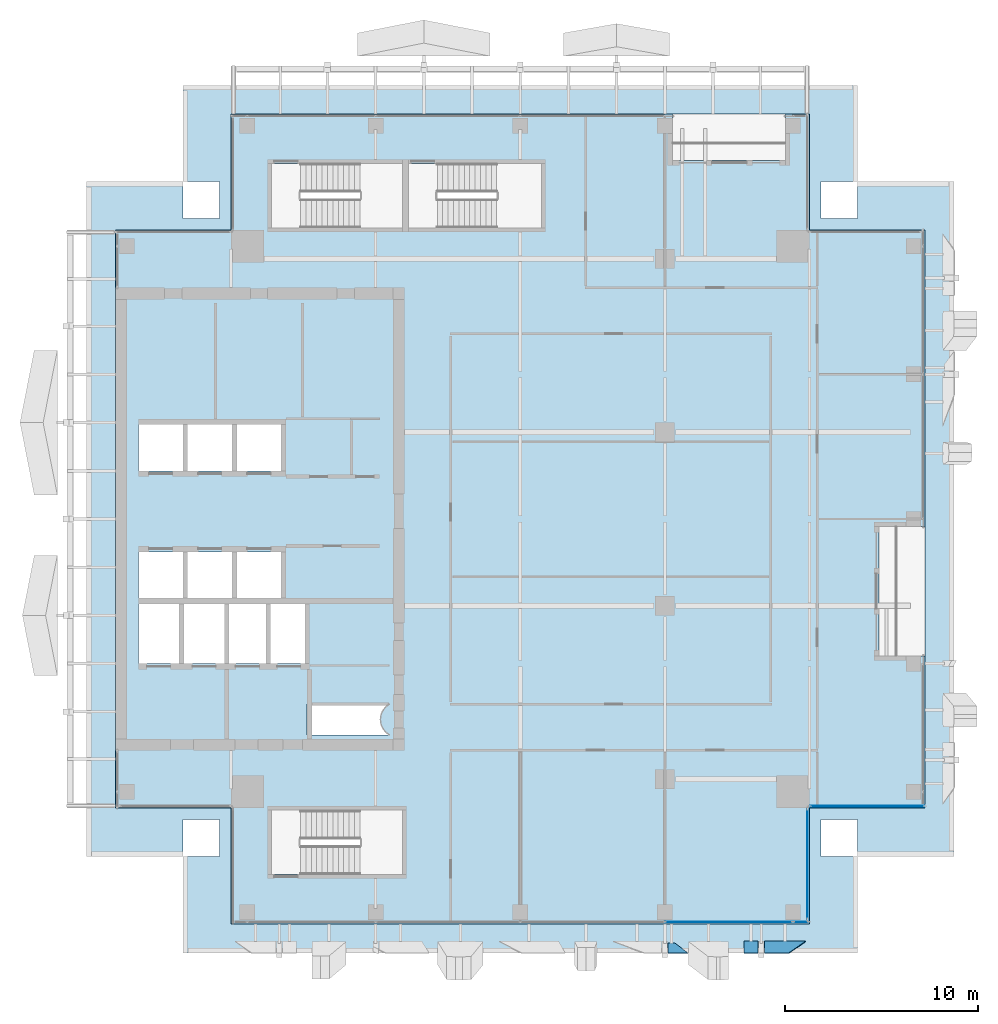
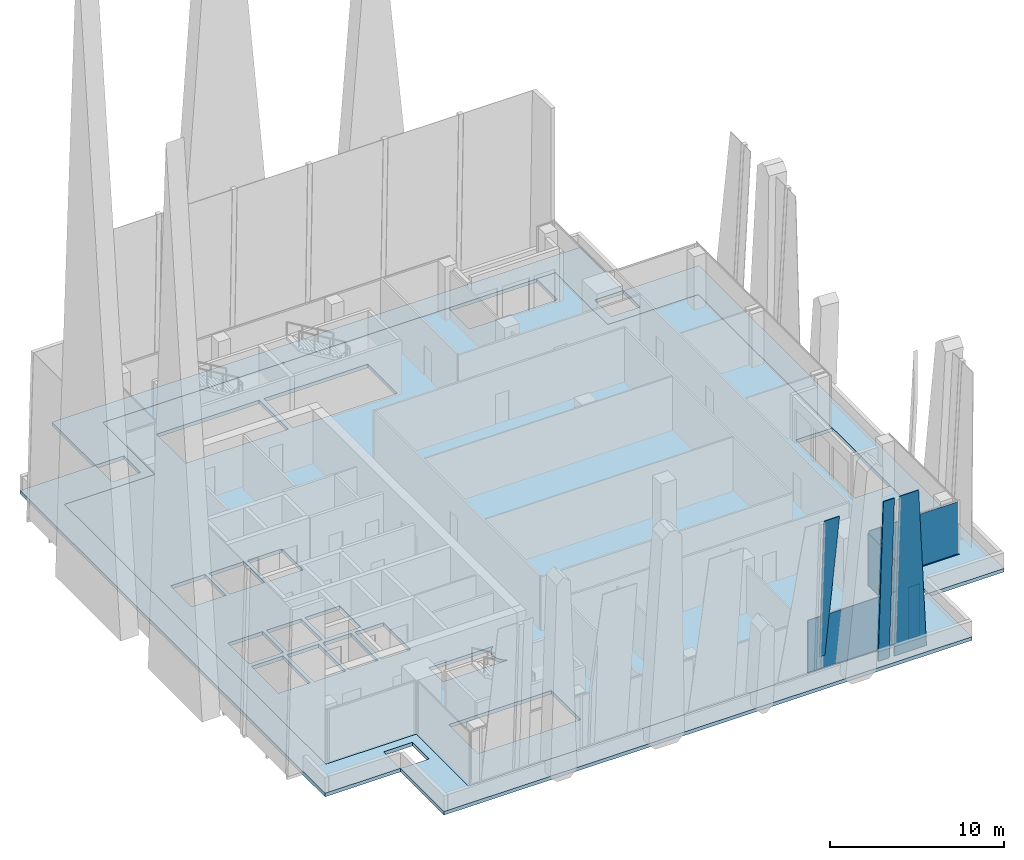
# One storey, part 21 of 32: 7 plates, 2 slabs, 3 elements without a shape of their own.
"""IFC4 building model written with IfcOpenShell, lengths in metres."""

from ifc_helpers import new_model, si_unit, direction, frame, origin, origin_2d, place, context, subcontext, project, spatial, polyline, rectangle, outline, extrude, source, transform, mapped, material, layer, layer_set, type_object, element, aggregate, save


model = new_model("IFC4")

# Units and contexts
model_context = context("Model", 3, precision=1e-05, world=origin(), true_north=direction((0.0, 1.0)))
body_context = subcontext(model_context, "Body", "Model", "MODEL_VIEW")
ifc_project = project(units=[si_unit("LENGTHUNIT", "METRE"), si_unit("AREAUNIT", "SQUARE_METRE"), si_unit("VOLUMEUNIT", "CUBIC_METRE"), si_unit("PLANEANGLEUNIT", "RADIAN"), si_unit("MASSUNIT", "GRAM", prefix="KILO")], contexts=[model_context])

# Site, building, storey
site_placement = place(None, origin())
site = spatial("IfcSite", under=ifc_project, at=site_placement, CompositionType="ELEMENT")
building_placement = place(site_placement, origin())
building = spatial("IfcBuilding", under=site, at=building_placement, Name="Khomas Fold Tower", CompositionType="ELEMENT")
storey_placement = place(building_placement, frame((0.0, 0.0, 282.199951171875)))
storey = spatial("IfcBuildingStorey", under=building, at=storey_placement, Name="L63", CompositionType="ELEMENT", Elevation=282.199951171875)

# Plates
ifc_material_1 = material(Name="Clear laminated glass", Category="glass")
ifc_layer_1 = layer(ifc_material_1, 0.0400390625)
ifc_layer_set_1 = layer_set([ifc_layer_1], Name="Clear laminated glass")
plate_type_1 = type_object("IfcPlateType", Name="SK-Clear laminated glass leaf", PredefinedType="SHEET", material=ifc_layer_set_1)
plate_1_placement = place(storey_placement, frame((34.669921875, 4.49462890625, 11.550048828125), z_axis=(0.0, 0.998629145526, 0.052343382631), x_axis=(1.0, 0.0, 0.0)))
element("IfcPlate", 1, at=plate_1_placement, inside=storey, type_object=plate_type_1, Name="OUTER SKIN glass L63 SG103-9", PredefinedType="SHEET", context=body_context, shape_type="SweptSolid", body=[
    extrude(outline(polyline([(0.0, 0.0), (1.023681640625, 0.0), (0.349853515625, 9.813501710847163), (0.0, 9.813501710847163), (0.0, 0.0)])), origin(), (0.0, 0.0, -1.0), 0.0400390625),
])
plate_2_placement = place(storey_placement, frame((38.60009765625, 5.10009765625, 0.0), z_axis=(0.0, 0.99862882819, 0.052349436554), x_axis=(0.0, -0.052349436554, 0.99862882819)))
element("IfcPlate", 2, at=plate_2_placement, inside=storey, type_object=plate_type_1, Name="OUTER SKIN glass L63 SG103-10", PredefinedType="SHEET", context=body_context, shape_type="SweptSolid", body=[
    extrude(outline(polyline([(0.0, 0.0), (11.565907674683308, 0.0), (11.565907674683308, 0.72998046875), (0.0, 0.72998046875), (0.0, 0.0)])), origin(), (0.0, 0.0, -1.0), 0.0400390625),
])
plate_3_placement = place(storey_placement, frame((41.79931640625, 5.10009765625, 0.0), z_axis=(0.0, 0.99862882819, 0.052349436554), x_axis=(-1.0, 0.0, 0.0)))
element("IfcPlate", 3, at=plate_3_placement, inside=storey, type_object=plate_type_1, Name="OUTER SKIN glass L63 SG104-12", PredefinedType="SHEET", context=body_context, shape_type="SweptSolid", body=[
    extrude(outline(polyline([(0.0, 0.0), (2.12939453125, 0.0), (2.12939453125, 11.565907674683308), (0.8662109375, 11.565907674683308), (0.0, 0.0)])), origin(), (0.0, 0.0, -1.0), 0.0400390625),
])

# Slabs
ifc_material_2 = material(Name="Concrete C40/50", Category="concrete")
ifc_layer_2 = layer(ifc_material_2, 0.25)
ifc_layer_set_2 = layer_set([ifc_layer_2], Name="Concrete C40/50")
slab_type_1 = type_object("IfcSlabType", Name="RC floor slab 250", PredefinedType="FLOOR", material=ifc_layer_set_2)
shared_shape_1 = source(origin(), body_context, "Body", "SweptSolid", [
    extrude(outline(polyline([(6.0, 12.0), (12.0, 12.0), (12.0, 6.0), (42.0, 6.0), (42.0, 12.0), (48.0, 12.0), (48.0, 19.89990234375), (45.60009765625, 19.89990234375), (45.60009765625, 26.60009765625), (48.0, 26.60009765625), (48.0, 42.0), (42.0, 42.0), (42.0, 48.0), (40.75, 48.0), (40.75, 45.60009765625), (34.89990234375, 45.60009765625), (34.89990234375, 48.0), (12.0, 48.0), (12.0, 42.0), (6.0, 42.0), (6.0, 12.0)]), holes=[polyline([(7.199951171875, 19.5), (7.199951171875, 22.60009765625), (9.300048828125, 22.60009765625), (9.300048828125, 19.5), (7.199951171875, 19.5)]), polyline([(7.199951171875, 22.89990234375), (7.199951171875, 25.300048828125), (9.5, 25.300048828125), (9.5, 22.89990234375), (7.199951171875, 22.89990234375)]), polyline([(7.199951171875, 29.5), (7.199951171875, 31.89990234375), (9.5, 31.89990234375), (9.5, 29.5), (7.199951171875, 29.5)]), polyline([(9.550048828125, 19.5), (9.550048828125, 22.60009765625), (11.64990234375, 22.60009765625), (11.64990234375, 19.5), (9.550048828125, 19.5)]), polyline([(9.75, 22.89990234375), (9.75, 25.300048828125), (12.050048828125, 25.300048828125), (12.050048828125, 22.89990234375), (9.75, 22.89990234375)]), polyline([(9.75, 29.5), (9.75, 31.89990234375), (12.050048828125, 31.89990234375), (12.050048828125, 29.5), (9.75, 29.5)]), polyline([(11.89990234375, 19.5), (11.89990234375, 22.60009765625), (13.800048828125, 22.60009765625), (13.800048828125, 19.5), (11.89990234375, 19.5)]), polyline([(12.300048828125, 22.89990234375), (12.300048828125, 25.300048828125), (14.60009765625, 25.300048828125), (14.60009765625, 22.89990234375), (12.300048828125, 22.89990234375)]), polyline([(12.300048828125, 29.5), (12.300048828125, 31.89990234375), (14.60009765625, 31.89990234375), (14.60009765625, 29.5), (12.300048828125, 29.5)]), polyline([(14.050048828125, 19.5), (14.050048828125, 22.60009765625), (15.949951171875, 22.60009765625), (15.949951171875, 19.5), (14.050048828125, 19.5)]), polyline([(14.10009765625, 8.550048828125), (14.10009765625, 11.89990234375), (20.89990234375, 11.89990234375), (20.89990234375, 8.550048828125), (14.10009765625, 8.550048828125)]), polyline([(14.10009765625, 42.10009765625), (14.10009765625, 45.449951171875), (20.89990234375, 45.449951171875), (20.89990234375, 42.10009765625), (14.10009765625, 42.10009765625)]), polyline([(15.949951171875, 15.800048828125), (15.949951171875, 17.39990234375), (20.199951171875, 17.39990234375), (20.199951171875, 17.37841796875), (20.14990234375, 17.348388671875), (20.0791015625, 17.295654296875), (20.013671875, 17.236328125), (19.954345703125, 17.1708984375), (19.901611328125, 17.10009765625), (19.856201171875, 17.0244140625), (19.818603515625, 16.9443359375), (19.788818359375, 16.861328125), (19.767333984375, 16.775634765625), (19.75439453125, 16.688232421875), (19.75, 16.60009765625), (19.75439453125, 16.51171875), (19.767333984375, 16.42431640625), (19.788818359375, 16.338623046875), (19.818603515625, 16.255615234375), (19.856201171875, 16.17578125), (19.901611328125, 16.10009765625), (19.954345703125, 16.029052734375), (20.013671875, 15.963623046875), (20.0791015625, 15.904296875), (20.14990234375, 15.851806640625), (20.199951171875, 15.82177734375), (20.199951171875, 15.800048828125), (15.949951171875, 15.800048828125)]), polyline([(21.199951171875, 42.10009765625), (21.199951171875, 45.449951171875), (28.10009765625, 45.449951171875), (28.10009765625, 42.10009765625), (21.199951171875, 42.10009765625)])]), origin(), (0.0, 0.0, 1.0), 0.25),
])
slab_1_placement = place(storey_placement, frame((0.0, 0.0, -0.25)))
element("IfcSlab", 4, at=slab_1_placement, inside=storey, type_object=slab_type_1, Name="S-L63", PredefinedType="FLOOR", context=body_context, shape_type="MappedRepresentation", body=[
    mapped(shared_shape_1, transform((0.0, 0.0, 0.0))),
])
ifc_material_3 = material(Name="Concrete C40/50", Category="concrete")
ifc_layer_3 = layer(ifc_material_3, 0.25)
ifc_layer_set_3 = layer_set([ifc_layer_3], Name="Concrete C40/50")
slab_type_2 = type_object("IfcSlabType", Name="RC roof slab 250", PredefinedType="ROOF", material=ifc_layer_set_3)
shared_shape_2 = source(origin(), body_context, "Body", "SweptSolid", [
    extrude(outline(polyline([(4.5, 9.5), (9.4951171875, 9.5), (9.4951171875, 11.405029296875), (11.405029296875, 11.405029296875), (11.405029296875, 9.4951171875), (9.5, 9.4951171875), (9.5, 4.5), (44.5, 4.5), (44.5, 9.4951171875), (42.594970703125, 9.4951171875), (42.594970703125, 11.405029296875), (44.5048828125, 11.405029296875), (44.5048828125, 9.5), (49.5, 9.5), (49.5, 44.5), (44.5048828125, 44.5), (44.5048828125, 42.594970703125), (42.594970703125, 42.594970703125), (42.594970703125, 44.5048828125), (44.5, 44.5048828125), (44.5, 49.5), (9.5, 49.5), (9.5, 44.5048828125), (11.405029296875, 44.5048828125), (11.405029296875, 42.594970703125), (9.4951171875, 42.594970703125), (9.4951171875, 44.5), (4.5, 44.5), (4.5, 9.5)]), holes=[polyline([(6.0, 12.0), (6.0, 42.0), (12.0, 42.0), (12.0, 48.0), (42.0, 48.0), (42.0, 42.0), (48.0, 42.0), (48.0, 12.0), (42.0, 12.0), (42.0, 6.0), (12.0, 6.0), (12.0, 12.0), (6.0, 12.0)])]), origin(), (0.0, 0.0, 1.0), 0.25),
])
slab_2_placement = place(storey_placement, frame((0.0, 0.0, -0.25)))
element("IfcSlab", 5, at=slab_2_placement, inside=storey, type_object=slab_type_2, Name="Setback roof slab", PredefinedType="ROOF", context=body_context, shape_type="MappedRepresentation", body=[
    mapped(shared_shape_2, transform((0.0, 0.0, 0.0))),
])

# Curtain wall, plates
ifc_material_4 = material(Name="Aluminium framed double glazing", Category="aluminium")
curtain_wall_type = type_object("IfcCurtainWallType", Name="SK-Unitised clear-glass wall, upper floors CW3", PredefinedType="NOTDEFINED", material=ifc_material_4)
curtain_wall_1_placement = place(storey_placement, origin())
curtain_wall_1 = element("IfcCurtainWall", 6, at=curtain_wall_1_placement, inside=storey, type_object=curtain_wall_type, Name="CW3 run L63 00-0", PredefinedType="NOTDEFINED")
ifc_material_5 = material(Name="Clear double glazed unit")
ifc_layer_4 = layer(ifc_material_5, 0.028076171875)
ifc_layer_set_4 = layer_set([ifc_layer_4], Name="Clear double glazed unit")
plate_type_2 = type_object("IfcPlateType", Name="SK-Unitised clear-glass wall, upper floors glass panel CW3-P", PredefinedType="CURTAIN_PANEL", material=ifc_layer_set_4)
shared_shape_3 = source(origin(), body_context, "Body", "SweptSolid", [
    extrude(rectangle(XDim=6.60009765625, YDim=0.028076171875, at=origin_2d()), origin(), (0.0, 0.0, 1.0), 3.64990234375),
])
plate_4_placement = place(storey_placement, frame((37.824951171875, 6.10009765625, 0.0), z_axis=(0.0, 0.0, 1.0), x_axis=(1.0, 0.0, 0.0)))
plate_4 = element("IfcPlate", 7, at=plate_4_placement, type_object=plate_type_2, Name="CW3 glass panel 5", PredefinedType="CURTAIN_PANEL", context=body_context, shape_type="MappedRepresentation", body=[
    mapped(shared_shape_3, transform((0.0, 0.0, 0.0))),
])
shared_shape_4 = source(origin(), body_context, "Body", "SweptSolid", [
    extrude(rectangle(XDim=0.77490234375, YDim=0.028076171875, at=origin_2d()), origin(), (0.0, 0.0, 1.0), 3.64990234375),
])
plate_5_placement = place(storey_placement, frame((41.5625, 6.10009765625, 0.0), z_axis=(0.0, 0.0, 1.0), x_axis=(1.0, 0.0, 0.0)))
plate_5 = element("IfcPlate", 8, at=plate_5_placement, type_object=plate_type_2, Name="CW3 glass panel 6", PredefinedType="CURTAIN_PANEL", context=body_context, shape_type="MappedRepresentation", body=[
    mapped(shared_shape_4, transform((0.0, 0.0, 0.0))),
])
aggregate(curtain_wall_1, [plate_4, plate_5])

# Curtain wall, plate
curtain_wall_2_placement = place(storey_placement, origin())
curtain_wall_2 = element("IfcCurtainWall", 9, at=curtain_wall_2_placement, inside=storey, type_object=curtain_wall_type, Name="CW3 corner return L63 01", PredefinedType="NOTDEFINED")
shared_shape_5 = source(origin(), body_context, "Body", "SweptSolid", [
    extrude(rectangle(XDim=5.699951171875, YDim=0.028076171875, at=origin_2d()), origin(), (0.0, 0.0, 1.0), 3.64990234375),
])
plate_6_placement = place(storey_placement, frame((41.89990234375, 9.10009765625, 0.0), z_axis=(0.0, 0.0, 1.0), x_axis=(0.0, 1.0, 0.0)))
plate_6 = element("IfcPlate", 10, at=plate_6_placement, type_object=plate_type_2, Name="CW3 glass panel 1", PredefinedType="CURTAIN_PANEL", context=body_context, shape_type="MappedRepresentation", body=[
    mapped(shared_shape_5, transform((0.0, 0.0, 0.0))),
])
aggregate(curtain_wall_2, [plate_6])

curtain_wall_3_placement = place(storey_placement, origin())
curtain_wall_3 = element("IfcCurtainWall", 11, at=curtain_wall_3_placement, inside=storey, type_object=curtain_wall_type, Name="CW3 corner return L63 02", PredefinedType="NOTDEFINED")
shared_shape_6 = source(origin(), body_context, "Body", "SweptSolid", [
    extrude(rectangle(XDim=5.89990234375, YDim=0.028076171875, at=origin_2d()), origin(), (0.0, 0.0, 1.0), 3.64990234375),
])
plate_7_placement = place(storey_placement, frame((45.0, 12.10009765625, 0.0), z_axis=(0.0, 0.0, 1.0), x_axis=(1.0, 0.0, 0.0)))
plate_7 = element("IfcPlate", 12, at=plate_7_placement, type_object=plate_type_2, Name="CW3 glass panel 1", PredefinedType="CURTAIN_PANEL", context=body_context, shape_type="MappedRepresentation", body=[
    mapped(shared_shape_6, transform((0.0, 0.0, 0.0))),
])
aggregate(curtain_wall_3, [plate_7])

save(model, "model.ifc")
